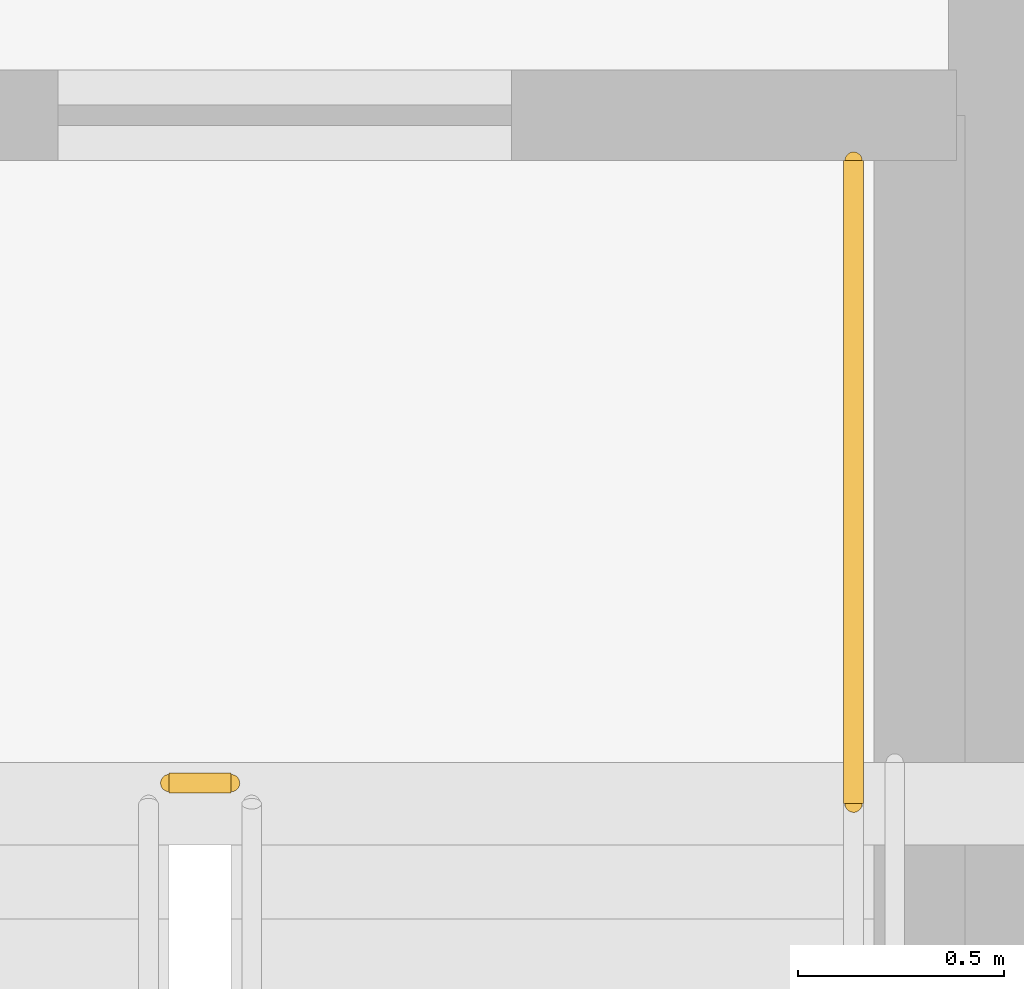
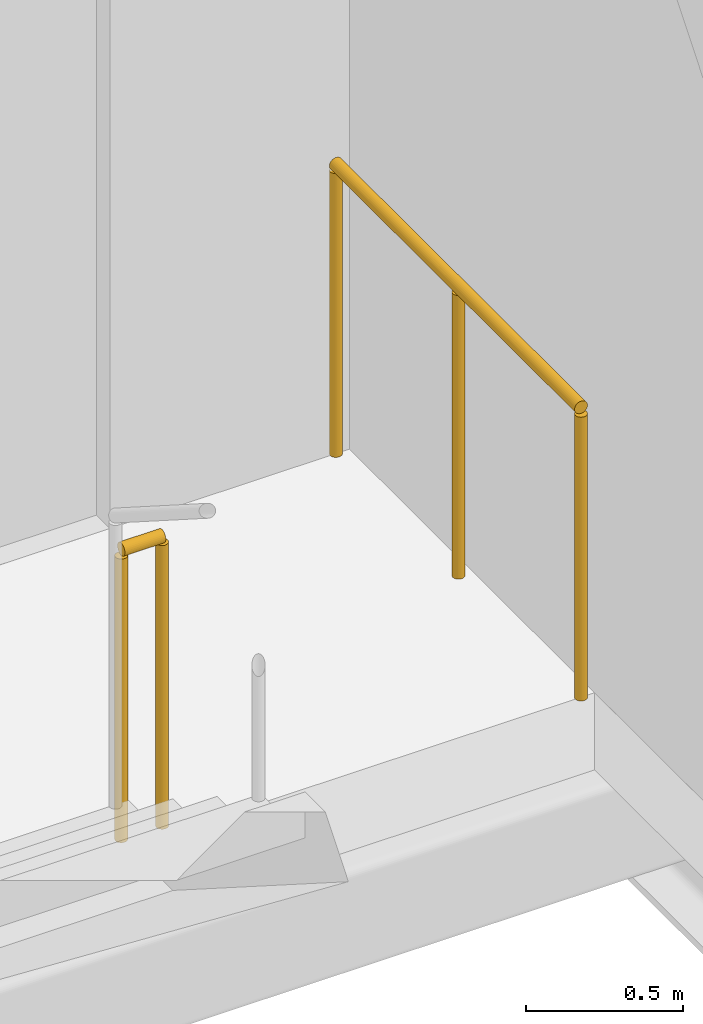
# One storey, part 27 of 31: 2 railings.
"""IFC4 building model written with IfcOpenShell, lengths in metres."""

from ifc_helpers import new_model, si_unit, direction, frame, origin, origin_2d, place, context, subcontext, project, spatial, circle, extrude, material, type_object, element, save


model = new_model("IFC4")

# Units and contexts
model_context = context("Model", 3, precision=1e-05, world=origin(), true_north=direction((0.0, 1.0)))
body_context = subcontext(model_context, "Body", "Model", "MODEL_VIEW")
ifc_project = project(units=[si_unit("LENGTHUNIT", "METRE"), si_unit("AREAUNIT", "SQUARE_METRE"), si_unit("VOLUMEUNIT", "CUBIC_METRE"), si_unit("PLANEANGLEUNIT", "RADIAN"), si_unit("MASSUNIT", "GRAM", prefix="KILO")], contexts=[model_context])

# Site, building, storey
site_placement = place(None, origin())
site = spatial("IfcSite", under=ifc_project, at=site_placement, CompositionType="ELEMENT")
building_placement = place(site_placement, origin())
building = spatial("IfcBuilding", under=site, at=building_placement, Name="Khairoan Windgate Tower", CompositionType="ELEMENT")
storey_placement = place(building_placement, frame((0.0, 0.0, 11.0)))
storey = spatial("IfcBuildingStorey", under=building, at=storey_placement, Name="L03", CompositionType="ELEMENT", Elevation=11.0)

# Railings
ifc_material = material(Name="Steel S355", Category="steel")
railing_type = type_object("IfcRailingType", Name="Stairwell Safety Guardrail SGR-1150", PredefinedType="GUARDRAIL", material=ifc_material)
railing_1_placement = place(storey_placement, frame((17.7099609375, -9.2099609375, 0.0)))
element("IfcRailing", 1, at=railing_1_placement, inside=storey, type_object=railing_type, Name="L03 ST1 stair guard 7", PredefinedType="GUARDRAIL", context=body_context, shape_type="SweptSolid", body=[
    extrude(circle(Radius=0.02392578125, at=origin_2d()), frame((0.0, 0.0, 1.1259765625), z_axis=(1.0, 0.0, 0.0), x_axis=(0.0, 1.0, 0.0)), (0.0, 0.0, 1.0), 0.150146484375),
    extrude(circle(Radius=0.02099609375, at=origin_2d()), origin(), (0.0, 0.0, 1.0), 1.101806640625),
    extrude(circle(Radius=0.02099609375, at=origin_2d()), frame((0.150146484375, 0.0, 0.0)), (0.0, 0.0, 1.0), 1.101806640625),
])
railing_2_placement = place(storey_placement, frame((19.3701171875, -7.699951171875, 0.0)))
element("IfcRailing", 2, at=railing_2_placement, inside=storey, type_object=railing_type, Name="L03 ST1 stair guard 9", PredefinedType="GUARDRAIL", context=body_context, shape_type="SweptSolid", body=[
    extrude(circle(Radius=0.02392578125, at=origin_2d()), frame((0.0, 0.0, 1.1259765625), z_axis=(0.0, -1.0, 0.0), x_axis=(1.0, 0.0, 0.0)), (0.0, 0.0, 1.0), 1.56005859375),
    extrude(circle(Radius=0.02099609375, at=origin_2d()), origin(), (0.0, 0.0, 1.0), 1.101806640625),
    extrude(circle(Radius=0.02099609375, at=origin_2d()), frame((0.0, -0.780029296875, 0.0)), (0.0, 0.0, 1.0), 1.101806640625),
    extrude(circle(Radius=0.02099609375, at=origin_2d()), frame((0.0, -1.56005859375, 0.0)), (0.0, 0.0, 1.0), 1.101806640625),
])

save(model, "model.ifc")
